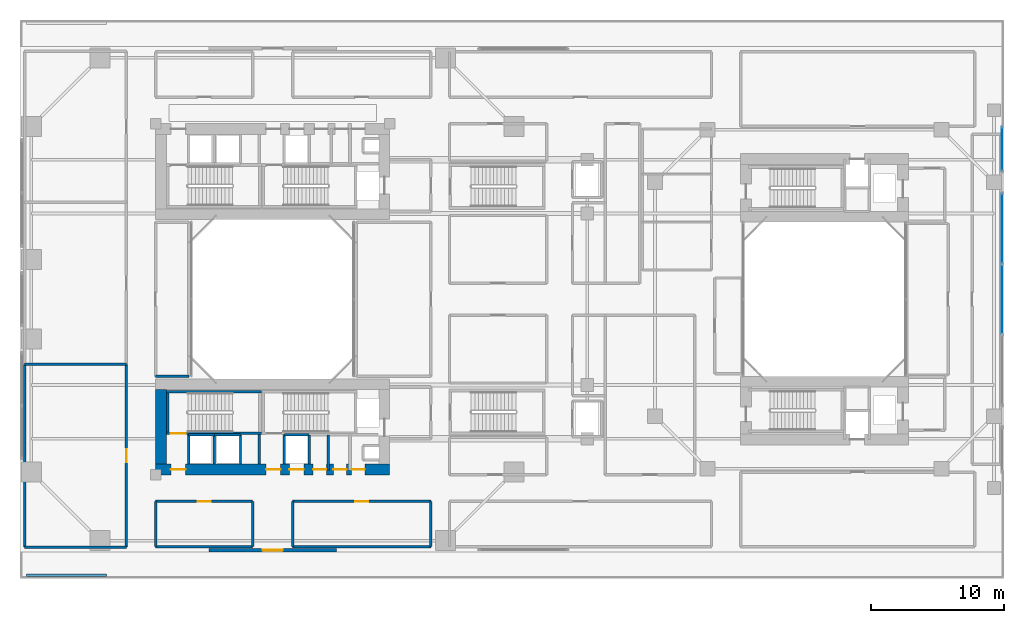
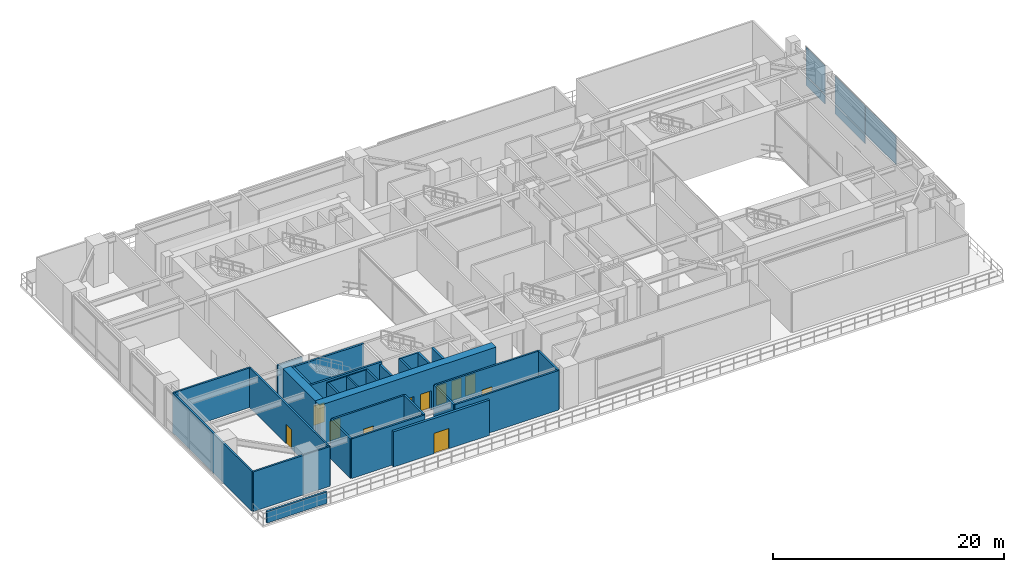
# One storey, part 10 of 19: 30 walls, 11 doors, 5 plates, 11 openings, 2 elements without a shape of their own.
"""IFC4 building model written with IfcOpenShell, lengths in metres."""

from ifc_helpers import new_model, si_unit, direction, frame, frame_2d, origin, origin_2d, place, context, subcontext, project, spatial, rectangle, extrude, source, transform, mapped, material, layer, layer_set, type_object, element, fill, aggregate, save


model = new_model("IFC4")

# Units and contexts
model_context = context("Model", 3, precision=1e-05, world=origin(), true_north=direction((0.0, 1.0)))
body_context = subcontext(model_context, "Body", "Model", "MODEL_VIEW")
ifc_project = project(units=[si_unit("LENGTHUNIT", "METRE"), si_unit("AREAUNIT", "SQUARE_METRE"), si_unit("VOLUMEUNIT", "CUBIC_METRE"), si_unit("PLANEANGLEUNIT", "RADIAN"), si_unit("MASSUNIT", "GRAM", prefix="KILO"), si_unit("THERMODYNAMICTEMPERATUREUNIT", "KELVIN"), si_unit("POWERUNIT", "WATT")], contexts=[model_context])

# Site, building, storey
site_placement = place(None, origin())
site = spatial("IfcSite", under=ifc_project, at=site_placement, CompositionType="ELEMENT")
building_placement = place(site_placement, origin())
building = spatial("IfcBuilding", under=site, at=building_placement, Name="Qiaomeng Ring Towers", CompositionType="ELEMENT")
storey_placement = place(building_placement, frame((0.0, 0.0, 9.39990234375)))
storey = spatial("IfcBuildingStorey", under=building, at=storey_placement, Name="L02", CompositionType="ELEMENT", Elevation=9.39990234375)

# Curtain wall, plate
ifc_material_1 = material(Name="Fluorocarbon dark-grey aluminium", Category="aluminium")
ifc_layer_1 = layer(ifc_material_1, 0.179931640625, Name="Fluorocarbon dark-grey aluminium")
ifc_layer_set_1 = layer_set([ifc_layer_1], Name="Fluorocarbon dark-grey aluminium")
curtain_wall_type = type_object("IfcCurtainWallType", Name="ARC-CW-1", PredefinedType="NOTDEFINED", material=ifc_layer_set_1)
curtain_wall_1_placement = place(storey_placement, origin())
curtain_wall_1 = element("IfcCurtainWall", 1, at=curtain_wall_1_placement, inside=storey, type_object=curtain_wall_type, Name="L02 Curtain Wall CW1", PredefinedType="NOTDEFINED")
ifc_material_2 = material(Name="Low-E pale-green laminated safety glass", Category="glass")
ifc_layer_2 = layer(ifc_material_2, 0.031982421875, Name="Low-E pale-green laminated safety glass")
ifc_layer_set_2 = layer_set([ifc_layer_2], Name="Low-E pale-green laminated safety glass")
plate_type = type_object("IfcPlateType", Name="ARC-CWP-GREEN", PredefinedType="CURTAIN_PANEL", material=ifc_layer_set_2)
shared_shape_1 = source(origin(), body_context, "Body", "SweptSolid", [
    extrude(rectangle(XDim=5.219970703125, YDim=0.031982421875, at=origin_2d()), origin(), (0.0, 0.0, 1.0), 0.945068359375),
])
plate_1_placement = place(storey_placement, frame((73.85009765625, 28.320068359375, 0.06982421875), z_axis=(0.0, 0.0, 1.0), x_axis=(0.0, 1.0, 0.0)))
plate_1 = element("IfcPlate", 2, at=plate_1_placement, type_object=plate_type, Name="CW1 panel 3.1", PredefinedType="CURTAIN_PANEL", context=body_context, shape_type="MappedRepresentation", body=[
    mapped(shared_shape_1, transform((0.0, 0.0, 0.0), x_axis=(1.0, 0.0, 0.0), y_axis=(0.0, 1.0, 0.0), z_axis=(0.0, 0.0, 1.0), scale=1.0)),
])

# Curtain wall, plates
curtain_wall_2_placement = place(storey_placement, origin())
curtain_wall_2 = element("IfcCurtainWall", 3, at=curtain_wall_2_placement, inside=storey, type_object=curtain_wall_type, Name="L02 Curtain Wall CW1", PredefinedType="NOTDEFINED")
shared_shape_2 = source(origin(), body_context, "Body", "SweptSolid", [
    extrude(rectangle(XDim=3.25, YDim=0.031982421875, at=origin_2d()), origin(), (0.0, 0.0, 1.0), 0.945068359375),
])
plate_2_placement = place(storey_placement, frame((73.85009765625, 34.294921875, 0.06982421875), z_axis=(0.0, 0.0, 1.0), x_axis=(0.0, 1.0, 0.0)))
plate_2 = element("IfcPlate", 4, at=plate_2_placement, type_object=plate_type, Name="CW1 panel 1.1", PredefinedType="CURTAIN_PANEL", context=body_context, shape_type="MappedRepresentation", body=[
    mapped(shared_shape_2, transform((0.0, 0.0, 0.0), x_axis=(1.0, 0.0, 0.0), y_axis=(0.0, 1.0, 0.0), z_axis=(0.0, 0.0, 1.0), scale=1.0)),
])
shared_shape_3 = source(origin(), body_context, "Body", "SweptSolid", [
    extrude(rectangle(XDim=3.25, YDim=0.031982421875, at=origin_2d()), origin(), (0.0, 0.0, 1.0), 3.02490234375),
])
plate_3_placement = place(storey_placement, frame((73.85009765625, 34.294921875, 1.085205078125), z_axis=(0.0, 0.0, 1.0), x_axis=(0.0, 1.0, 0.0)))
plate_3 = element("IfcPlate", 5, at=plate_3_placement, type_object=plate_type, Name="CW1 panel 1.2", PredefinedType="CURTAIN_PANEL", context=body_context, shape_type="MappedRepresentation", body=[
    mapped(shared_shape_3, transform((0.0, 0.0, 0.0), x_axis=(1.0, 0.0, 0.0), y_axis=(0.0, 1.0, 0.0), z_axis=(0.0, 0.0, 1.0), scale=1.0)),
])
aggregate(curtain_wall_2, [plate_2, plate_3])

# Plate
shared_shape_4 = source(origin(), body_context, "Body", "SweptSolid", [
    extrude(rectangle(XDim=5.219970703125, YDim=0.031982421875, at=origin_2d()), origin(), (0.0, 0.0, 1.0), 3.02490234375),
])
plate_4_placement = place(storey_placement, frame((73.85009765625, 28.320068359375, 1.085205078125), z_axis=(0.0, 0.0, 1.0), x_axis=(0.0, 1.0, 0.0)))
plate_4 = element("IfcPlate", 6, at=plate_4_placement, type_object=plate_type, Name="CW1 panel 3.2", PredefinedType="CURTAIN_PANEL", context=body_context, shape_type="MappedRepresentation", body=[
    mapped(shared_shape_4, transform((0.0, 0.0, 0.0), x_axis=(1.0, 0.0, 0.0), y_axis=(0.0, 1.0, 0.0), z_axis=(0.0, 0.0, 1.0), scale=1.0)),
])

shared_shape_5 = source(origin(), body_context, "Body", "SweptSolid", [
    extrude(rectangle(XDim=5.260009765625, YDim=0.031982421875, at=origin_2d()), origin(), (0.0, 0.0, 1.0), 3.02490234375),
])
plate_5_placement = place(storey_placement, frame((73.85009765625, 23.0, 1.085205078125), z_axis=(0.0, 0.0, 1.0), x_axis=(0.0, 1.0, 0.0)))
plate_5 = element("IfcPlate", 7, at=plate_5_placement, type_object=plate_type, Name="CW1 panel 2.2", PredefinedType="CURTAIN_PANEL", context=body_context, shape_type="MappedRepresentation", body=[
    mapped(shared_shape_5, transform((0.0, 0.0, 0.0), x_axis=(1.0, 0.0, 0.0), y_axis=(0.0, 1.0, 0.0), z_axis=(0.0, 0.0, 1.0), scale=1.0)),
])

aggregate(curtain_wall_1, [plate_5, plate_1, plate_4])

# Wall, opening, door
ifc_material_3 = material(Name="Precast concrete C40", Category="concrete")
ifc_layer_3 = layer(ifc_material_3, 0.25, Name="Precast concrete C40")
ifc_layer_set_3 = layer_set([ifc_layer_3], Name="Precast concrete C40")
wall_type_1 = type_object("IfcWallType", Name="ARC-WL-EW1", PredefinedType="STANDARD", material=ifc_layer_set_3)
wall_1_placement = place(storey_placement, frame((14.199951171875, 4.125, 0.0), z_axis=(0.0, 0.0, 1.0), x_axis=(1.0, 0.0, 0.0)))
wall_1 = element("IfcWall", 8, at=wall_1_placement, inside=storey, type_object=wall_type_1, Name="L02 South Podium Wall", PredefinedType="STANDARD", context=body_context, shape_type="SweptSolid", body=[
    extrude(rectangle(XDim=9.60009765625, YDim=0.25, at=frame_2d((4.800048828125, 0.0))), origin(), (0.0, 0.0, 1.0), 3.72021484375),
])
opening_1_placement = place(wall_1_placement, frame((4.050048828125, 0.0, 0.0)))
opening_1 = element("IfcOpeningElement", 9, at=opening_1_placement, cuts=wall_1, Name="Opening BD2", PredefinedType="OPENING", context=body_context, shape_type="SweptSolid", body=[
    extrude(rectangle(XDim=1.5, YDim=2.14990234375, at=frame_2d((0.75, 1.074951171875))), frame((0.0, 0.135009765625, 0.0), z_axis=(0.0, -1.0, 0.0), x_axis=(1.0, 0.0, 0.0)), (0.0, 0.0, 1.0), 0.27001953125),
])
door_type_1 = type_object("IfcDoorType", Name="ARC-DR-BD2", OperationType="NOTDEFINED", PredefinedType="DOOR", material=ifc_material_2)
shared_shape_6 = source(origin(), body_context, "Body", "SweptSolid", [
    extrude(rectangle(XDim=1.5, YDim=2.14990234375, at=frame_2d((0.75, 1.074951171875))), frame((0.0, 0.02490234375, 0.0), z_axis=(0.0, -1.0, 0.0), x_axis=(1.0, 0.0, 0.0)), (0.0, 0.0, 1.0), 0.050048828125),
])
door_1_placement = place(opening_1_placement, frame((1.5, 0.0, 0.0), z_axis=(0.0, 0.0, 1.0), x_axis=(-1.0, 0.0, 0.0)))
door_1 = element("IfcDoor", 10, at=door_1_placement, inside=storey, type_object=door_type_1, Name="L02 South Podium Terrace Door", OperationType="DOUBLE_DOOR_SINGLE_SWING", OverallHeight=2.14990234375, OverallWidth=1.5, PredefinedType="DOOR", context=body_context, shape_type="MappedRepresentation", body=[
    mapped(shared_shape_6, transform((0.0, 0.0, 0.0), x_axis=(1.0, 0.0, 0.0), y_axis=(0.0, 1.0, 0.0), z_axis=(0.0, 0.0, 1.0), scale=1.0)),
])
fill(opening_1, door_1)

# Walls
ifc_layer_4 = layer(ifc_material_3, 0.199951171875, Name="Precast concrete C40")
ifc_layer_set_4 = layer_set([ifc_layer_4], Name="Precast concrete C40")
wall_type_2 = type_object("IfcWallType", Name="ARC-WL-PP1", PredefinedType="PARAPET", material=ifc_layer_set_4)
wall_2_placement = place(storey_placement, frame((0.5, 2.25, 0.0), z_axis=(0.0, 0.0, 1.0), x_axis=(1.0, 0.0, 0.0)))
element("IfcWall", 11, at=wall_2_placement, inside=storey, type_object=wall_type_2, Name="L02 South Terrace Parapet PP1", PredefinedType="PARAPET", context=body_context, shape_type="SweptSolid", body=[
    extrude(rectangle(XDim=6.0, YDim=0.199951171875, at=frame_2d((3.0, 0.0))), origin(), (0.0, 0.0, 1.0), 1.2001953125),
])
ifc_material_4 = material(Name="Autoclaved aerated concrete block", Category="concrete")
ifc_layer_5 = layer(ifc_material_4, 0.199951171875, Name="Autoclaved aerated concrete block")
ifc_layer_set_5 = layer_set([ifc_layer_5], Name="Autoclaved aerated concrete block")
wall_type_3 = type_object("IfcWallType", Name="ARC-WL-PW1", PredefinedType="PARTITIONING", material=ifc_layer_set_5)
for number, where, z_axis, x_axis, name in (
    (12, (12.679931640625, 10.60009765625, 0.0), (0.0, 0.0, 1.0), (0.0, 1.0, 0.0), "L02 Interior Wall PW1"),
    (13, (18.0, 10.60009765625, 0.0), (0.0, 0.0, 1.0), (0.0, 1.0, 0.0), "L02 Interior Wall PW1"),
    (14, (19.8798828125, 10.60009765625, 0.0), (0.0, 0.0, 1.0), (0.0, 1.0, 0.0), "L02 Interior Wall PW1"),
):
    element("IfcWall", number, at=place(storey_placement, frame(where, z_axis=z_axis, x_axis=x_axis)), inside=storey, type_object=wall_type_3, Name=name, PredefinedType="PARTITIONING", context=body_context, shape_type="SweptSolid", body=[
        extrude(rectangle(XDim=2.2099609375, YDim=0.199951171875, at=frame_2d((1.10498046875, 0.0))), origin(), (0.0, 0.0, 1.0), 4.18017578125),
    ])
wall_3_placement = place(storey_placement, frame((21.75, 10.60009765625, 0.0), z_axis=(0.0, 0.0, 1.0), x_axis=(0.0, 1.0, 0.0)))
element("IfcWall", 15, at=wall_3_placement, inside=storey, type_object=wall_type_3, Name="L02 Interior Wall PW1", PredefinedType="PARTITIONING", context=body_context, shape_type="SweptSolid", body=[
    extrude(rectangle(XDim=2.199951171875, YDim=0.199951171875, at=frame_2d((1.10009765625, 0.0))), origin(), (0.0, 0.0, 1.0), 4.18017578125),
])
wall_4_placement = place(storey_placement, frame((23.169921875, 10.14990234375, 0.0), z_axis=(0.0, 0.0, 1.0), x_axis=(0.0, 1.0, 0.0)))
element("IfcWall", 16, at=wall_4_placement, inside=storey, type_object=wall_type_3, Name="L02 Interior Wall PW1", PredefinedType="PARTITIONING", context=body_context, shape_type="SweptSolid", body=[
    extrude(rectangle(XDim=2.650146484375, YDim=0.199951171875, at=frame_2d((1.3251953125, 0.0))), origin(), (0.0, 0.0, 1.0), 4.18017578125),
])
ifc_layer_6 = layer(ifc_material_4, 0.179931640625, Name="Autoclaved aerated concrete block")
ifc_layer_set_6 = layer_set([ifc_layer_6], Name="Autoclaved aerated concrete block")
wall_type_4 = type_object("IfcWallType", Name="ARC-WL-PW2", PredefinedType="PARTITIONING", material=ifc_layer_set_6)
for number, where, z_axis, x_axis, name in (
    (17, (0.35009765625, 4.35009765625, 0.0), (0.0, 0.0, 1.0), (1.0, 0.0, 0.0), "L02 Interior Wall PW2"),
    (18, (0.35009765625, 18.10009765625, 0.0), (0.0, 0.0, 1.0), (1.0, 0.0, 0.0), "L02 Interior Wall PW2"),
):
    element("IfcWall", number, at=place(storey_placement, frame(where, z_axis=z_axis, x_axis=x_axis)), inside=storey, type_object=wall_type_4, Name=name, PredefinedType="PARTITIONING", context=body_context, shape_type="SweptSolid", body=[
        extrude(rectangle(XDim=7.64990234375, YDim=0.179931640625, at=frame_2d((3.824951171875, 0.0))), origin(), (0.0, 0.0, 1.0), 4.18017578125),
    ])
wall_5_placement = place(storey_placement, frame((0.35009765625, 4.35009765625, 0.0), z_axis=(0.0, 0.0, 1.0), x_axis=(0.0, 1.0, 0.0)))
element("IfcWall", 19, at=wall_5_placement, inside=storey, type_object=wall_type_4, Name="L02 Interior Wall PW2", PredefinedType="PARTITIONING", context=body_context, shape_type="SweptSolid", body=[
    extrude(rectangle(XDim=13.75, YDim=0.179931640625, at=frame_2d((6.875, 0.0))), origin(), (0.0, 0.0, 1.0), 4.18017578125),
])

# Wall, opening, door
wall_6_placement = place(storey_placement, frame((8.0, 4.35009765625, 0.0), z_axis=(0.0, 0.0, 1.0), x_axis=(0.0, 1.0, 0.0)))
wall_6 = element("IfcWall", 20, at=wall_6_placement, inside=storey, type_object=wall_type_4, Name="L02 Interior Wall PW2", PredefinedType="PARTITIONING", context=body_context, shape_type="SweptSolid", body=[
    extrude(rectangle(XDim=13.75, YDim=0.179931640625, at=frame_2d((6.875, 0.0))), origin(), (0.0, 0.0, 1.0), 4.18017578125),
])
opening_2_placement = place(wall_6_placement, frame((6.375, 0.0, 0.0)))
opening_2 = element("IfcOpeningElement", 21, at=opening_2_placement, cuts=wall_6, Name="Opening FD4", PredefinedType="OPENING", context=body_context, shape_type="SweptSolid", body=[
    extrude(rectangle(XDim=1.0, YDim=2.050048828125, at=frame_2d((0.5, 1.02490234375))), frame((0.0, 0.099853515625, 0.0), z_axis=(0.0, -1.0, 0.0), x_axis=(1.0, 0.0, 0.0)), (0.0, 0.0, 1.0), 0.199951171875),
])
ifc_material_5 = material(Name="Engineered fire-rated oak timber", Category="wood")
door_type_2 = type_object("IfcDoorType", Name="ARC-DR-FD4", OperationType="NOTDEFINED", PredefinedType="DOOR", material=ifc_material_5)
shared_shape_7 = source(origin(), body_context, "Body", "SweptSolid", [
    extrude(rectangle(XDim=1.0, YDim=2.050048828125, at=frame_2d((0.5, 1.02490234375))), frame((0.0, 0.02490234375, 0.0), z_axis=(0.0, -1.0, 0.0), x_axis=(1.0, 0.0, 0.0)), (0.0, 0.0, 1.0), 0.050048828125),
])
door_2_placement = place(opening_2_placement, origin())
door_2 = element("IfcDoor", 22, at=door_2_placement, inside=storey, type_object=door_type_2, Name="L02 L02 General Practice Clinic Door", OperationType="SINGLE_SWING_LEFT", OverallHeight=2.050048828125, OverallWidth=1.0, PredefinedType="DOOR", context=body_context, shape_type="MappedRepresentation", body=[
    mapped(shared_shape_7, transform((0.0, 0.0, 0.0), x_axis=(1.0, 0.0, 0.0), y_axis=(0.0, 1.0, 0.0), z_axis=(0.0, 0.0, 1.0), scale=1.0)),
])
fill(opening_2, door_2)

# Walls
wall_7_placement = place(storey_placement, frame((10.199951171875, 17.199951171875, 0.0), z_axis=(0.0, 0.0, 1.0), x_axis=(1.0, 0.0, 0.0)))
element("IfcWall", 23, at=wall_7_placement, inside=storey, type_object=wall_type_4, Name="L02 Interior Wall PW2", PredefinedType="PARTITIONING", context=body_context, shape_type="SweptSolid", body=[
    extrude(rectangle(XDim=2.5, YDim=0.179931640625, at=frame_2d((1.25, 0.0))), origin(), (0.0, 0.0, 1.0), 4.18017578125),
])
wall_8_placement = place(storey_placement, frame((10.199951171875, 4.39990234375, 0.0), z_axis=(0.0, 0.0, 1.0), x_axis=(1.0, 0.0, 0.0)))
element("IfcWall", 24, at=wall_8_placement, inside=storey, type_object=wall_type_4, Name="L02 Interior Wall PW2", PredefinedType="PARTITIONING", context=body_context, shape_type="SweptSolid", body=[
    extrude(rectangle(XDim=7.300048828125, YDim=0.179931640625, at=frame_2d((3.64990234375, 0.0))), origin(), (0.0, 0.0, 1.0), 4.18017578125),
])

# Wall, opening, door
wall_9_placement = place(storey_placement, frame((10.199951171875, 7.800048828125, 0.0), z_axis=(0.0, 0.0, 1.0), x_axis=(1.0, 0.0, 0.0)))
wall_9 = element("IfcWall", 25, at=wall_9_placement, inside=storey, type_object=wall_type_4, Name="L02 Interior Wall PW2", PredefinedType="PARTITIONING", context=body_context, shape_type="SweptSolid", body=[
    extrude(rectangle(XDim=7.300048828125, YDim=0.179931640625, at=frame_2d((3.64990234375, 0.0))), origin(), (0.0, 0.0, 1.0), 4.18017578125),
])
opening_3_placement = place(wall_9_placement, frame((3.14990234375, 0.0, 0.0)))
opening_3 = element("IfcOpeningElement", 26, at=opening_3_placement, cuts=wall_9, Name="Opening FD4", PredefinedType="OPENING", context=body_context, shape_type="SweptSolid", body=[
    extrude(rectangle(XDim=1.0, YDim=2.050048828125, at=frame_2d((0.5, 1.02490234375))), frame((0.0, 0.099853515625, 0.0), z_axis=(0.0, -1.0, 0.0), x_axis=(1.0, 0.0, 0.0)), (0.0, 0.0, 1.0), 0.199951171875),
])
door_3_placement = place(opening_3_placement, origin())
door_3 = element("IfcDoor", 27, at=door_3_placement, inside=storey, type_object=door_type_2, Name="L02 L02 Ophthalmology Clinic Door", OperationType="SINGLE_SWING_LEFT", OverallHeight=2.050048828125, OverallWidth=1.0, PredefinedType="DOOR", context=body_context, shape_type="MappedRepresentation", body=[
    mapped(shared_shape_7, transform((0.0, 0.0, 0.0), x_axis=(1.0, 0.0, 0.0), y_axis=(0.0, 1.0, 0.0), z_axis=(0.0, 0.0, 1.0), scale=1.0)),
])
fill(opening_3, door_3)

# Walls
for number, where, z_axis, x_axis, name in (
    (28, (10.199951171875, 4.39990234375, 0.0), (0.0, 0.0, 1.0), (0.0, 1.0, 0.0), "L02 Interior Wall PW2"),
    (29, (17.5, 4.39990234375, 0.0), (0.0, 0.0, 1.0), (0.0, 1.0, 0.0), "L02 Interior Wall PW2"),
):
    element("IfcWall", number, at=place(storey_placement, frame(where, z_axis=z_axis, x_axis=x_axis)), inside=storey, type_object=wall_type_4, Name=name, PredefinedType="PARTITIONING", context=body_context, shape_type="SweptSolid", body=[
        extrude(rectangle(XDim=3.400146484375, YDim=0.179931640625, at=frame_2d((1.7001953125, 0.0))), origin(), (0.0, 0.0, 1.0), 4.18017578125),
    ])
wall_10_placement = place(storey_placement, frame((20.5, 4.39990234375, 0.0), z_axis=(0.0, 0.0, 1.0), x_axis=(1.0, 0.0, 0.0)))
element("IfcWall", 30, at=wall_10_placement, inside=storey, type_object=wall_type_4, Name="L02 Interior Wall PW2", PredefinedType="PARTITIONING", context=body_context, shape_type="SweptSolid", body=[
    extrude(rectangle(XDim=10.39990234375, YDim=0.179931640625, at=frame_2d((5.199951171875, 0.0))), origin(), (0.0, 0.0, 1.0), 4.18017578125),
])

# Wall, opening, door
wall_11_placement = place(storey_placement, frame((20.5, 7.800048828125, 0.0), z_axis=(0.0, 0.0, 1.0), x_axis=(1.0, 0.0, 0.0)))
wall_11 = element("IfcWall", 31, at=wall_11_placement, inside=storey, type_object=wall_type_4, Name="L02 Interior Wall PW2", PredefinedType="PARTITIONING", context=body_context, shape_type="SweptSolid", body=[
    extrude(rectangle(XDim=10.39990234375, YDim=0.179931640625, at=frame_2d((5.199951171875, 0.0))), origin(), (0.0, 0.0, 1.0), 4.18017578125),
])
opening_4_placement = place(wall_11_placement, frame((4.699951171875, 0.0, 0.0)))
opening_4 = element("IfcOpeningElement", 32, at=opening_4_placement, cuts=wall_11, Name="Opening FD4", PredefinedType="OPENING", context=body_context, shape_type="SweptSolid", body=[
    extrude(rectangle(XDim=1.0, YDim=2.050048828125, at=frame_2d((0.5, 1.02490234375))), frame((0.0, 0.099853515625, 0.0), z_axis=(0.0, -1.0, 0.0), x_axis=(1.0, 0.0, 0.0)), (0.0, 0.0, 1.0), 0.199951171875),
])
door_4_placement = place(opening_4_placement, origin())
door_4 = element("IfcDoor", 33, at=door_4_placement, inside=storey, type_object=door_type_2, Name="L02 L02 Vaccination Clinic Door", OperationType="SINGLE_SWING_RIGHT", OverallHeight=2.050048828125, OverallWidth=1.0, PredefinedType="DOOR", context=body_context, shape_type="MappedRepresentation", body=[
    mapped(shared_shape_7, transform((0.0, 0.0, 0.0), x_axis=(1.0, 0.0, 0.0), y_axis=(0.0, 1.0, 0.0), z_axis=(0.0, 0.0, 1.0), scale=1.0)),
])
fill(opening_4, door_4)

# Walls
for number, where, z_axis, x_axis, name in (
    (34, (20.5, 4.39990234375, 0.0), (0.0, 0.0, 1.0), (0.0, 1.0, 0.0), "L02 Interior Wall PW2"),
    (35, (30.89990234375, 4.39990234375, 0.0), (0.0, 0.0, 1.0), (0.0, 1.0, 0.0), "L02 Interior Wall PW2"),
):
    element("IfcWall", number, at=place(storey_placement, frame(where, z_axis=z_axis, x_axis=x_axis)), inside=storey, type_object=wall_type_4, Name=name, PredefinedType="PARTITIONING", context=body_context, shape_type="SweptSolid", body=[
        extrude(rectangle(XDim=3.400146484375, YDim=0.179931640625, at=frame_2d((1.7001953125, 0.0))), origin(), (0.0, 0.0, 1.0), 4.18017578125),
    ])
ifc_material_6 = material(Name="Concrete C40", Category="concrete")
ifc_layer_7 = layer(ifc_material_6, 0.199951171875, Name="Concrete C40")
ifc_layer_set_7 = layer_set([ifc_layer_7], Name="Concrete C40")
wall_type_5 = type_object("IfcWallType", Name="STR-WL-STSHAFT", PredefinedType="SHEAR", material=ifc_layer_set_7)
wall_12_placement = place(storey_placement, frame((12.679931640625, 12.800048828125, 0.0), z_axis=(0.0, 0.0, 1.0), x_axis=(1.0, 0.0, 0.0)))
element("IfcWall", 36, at=wall_12_placement, inside=storey, type_object=wall_type_5, Name="L02 Lift LP6 Shaft Back Wall", PredefinedType="SHEAR", context=body_context, shape_type="SweptSolid", body=[
    extrude(rectangle(XDim=1.940185546875, YDim=0.179931640625, at=frame_2d((0.97021484375, 0.0))), origin(), (0.0, 0.0, 1.0), 4.18017578125),
])
wall_13_placement = place(storey_placement, frame((14.6201171875, 10.60009765625, 0.0), z_axis=(0.0, 0.0, 1.0), x_axis=(0.0, 1.0, 0.0)))
element("IfcWall", 37, at=wall_13_placement, inside=storey, type_object=wall_type_5, Name="L02 Lift LP6-LP4 Shaft Divider Wall", PredefinedType="SHEAR", context=body_context, shape_type="SweptSolid", body=[
    extrude(rectangle(XDim=2.199951171875, YDim=0.179931640625, at=frame_2d((1.10009765625, 0.0))), origin(), (0.0, 0.0, 1.0), 4.18017578125),
])
wall_14_placement = place(storey_placement, frame((14.6201171875, 12.800048828125, 0.0), z_axis=(0.0, 0.0, 1.0), x_axis=(1.0, 0.0, 0.0)))
element("IfcWall", 38, at=wall_14_placement, inside=storey, type_object=wall_type_5, Name="L02 Lift LP4 Shaft Back Wall", PredefinedType="SHEAR", context=body_context, shape_type="SweptSolid", body=[
    extrude(rectangle(XDim=1.9599609375, YDim=0.179931640625, at=frame_2d((0.97998046875, 0.0))), origin(), (0.0, 0.0, 1.0), 4.18017578125),
])
wall_15_placement = place(storey_placement, frame((16.580078125, 10.60009765625, 0.0), z_axis=(0.0, 0.0, 1.0), x_axis=(0.0, 1.0, 0.0)))
element("IfcWall", 39, at=wall_15_placement, inside=storey, type_object=wall_type_5, Name="L02 Lift LP4 East Shaft Wall", PredefinedType="SHEAR", context=body_context, shape_type="SweptSolid", body=[
    extrude(rectangle(XDim=2.199951171875, YDim=0.179931640625, at=frame_2d((1.10009765625, 0.0))), origin(), (0.0, 0.0, 1.0), 4.18017578125),
])
wall_16_placement = place(storey_placement, frame((19.8798828125, 12.800048828125, 0.0), z_axis=(0.0, 0.0, 1.0), x_axis=(1.0, 0.0, 0.0)))
element("IfcWall", 40, at=wall_16_placement, inside=storey, type_object=wall_type_5, Name="L02 Lift LP2 Shaft Back Wall", PredefinedType="SHEAR", context=body_context, shape_type="SweptSolid", body=[
    extrude(rectangle(XDim=1.8701171875, YDim=0.179931640625, at=frame_2d((0.93505859375, 0.0))), origin(), (0.0, 0.0, 1.0), 4.18017578125),
])

# Wall, opening, door
wall_17_placement = place(storey_placement, frame((11.0, 12.909912109375, 0.0), z_axis=(0.0, 0.0, 1.0), x_axis=(1.0, 0.0, 0.0)))
wall_17 = element("IfcWall", 41, at=wall_17_placement, inside=storey, type_object=wall_type_5, Name="L02 Stair ST3 South Shaft Shear Wall", PredefinedType="SHEAR", context=body_context, shape_type="SweptSolid", body=[
    extrude(rectangle(XDim=7.14990234375, YDim=0.199951171875, at=frame_2d((3.574951171875, 0.0))), origin(), (0.0, 0.0, 1.0), 4.400146484375),
])
opening_5_placement = place(wall_17_placement, frame((0.35009765625, 0.0, 0.0)))
opening_5 = element("IfcOpeningElement", 42, at=opening_5_placement, cuts=wall_17, Name="Opening FD3", PredefinedType="OPENING", context=body_context, shape_type="SweptSolid", body=[
    extrude(rectangle(XDim=1.10009765625, YDim=2.050048828125, at=frame_2d((0.550048828125, 1.02490234375))), frame((0.0, 0.10986328125, 0.0), z_axis=(0.0, -1.0, 0.0), x_axis=(1.0, 0.0, 0.0)), (0.0, 0.0, 1.0), 0.219970703125),
])
ifc_material_7 = material(Name="Galvanised steel", Category="steel")
door_type_3 = type_object("IfcDoorType", Name="ARC-DR-FD3", OperationType="NOTDEFINED", PredefinedType="DOOR", material=ifc_material_7)
shared_shape_8 = source(origin(), body_context, "Body", "SweptSolid", [
    extrude(rectangle(XDim=1.10009765625, YDim=2.050048828125, at=frame_2d((0.550048828125, 1.02490234375))), frame((0.0, 0.02490234375, 0.0), z_axis=(0.0, -1.0, 0.0), x_axis=(1.0, 0.0, 0.0)), (0.0, 0.0, 1.0), 0.050048828125),
])
door_5_placement = place(opening_5_placement, frame((1.10009765625, 0.0, 0.0), z_axis=(0.0, 0.0, 1.0), x_axis=(-1.0, 0.0, 0.0)))
door_5 = element("IfcDoor", 43, at=door_5_placement, inside=storey, type_object=door_type_3, Name="L02 Stair ST3 Exit Door", OperationType="SINGLE_SWING_LEFT", OverallHeight=2.050048828125, OverallWidth=1.10009765625, PredefinedType="DOOR", context=body_context, shape_type="MappedRepresentation", body=[
    mapped(shared_shape_8, transform((0.0, 0.0, 0.0), x_axis=(1.0, 0.0, 0.0), y_axis=(0.0, 1.0, 0.0), z_axis=(0.0, 0.0, 1.0), scale=1.0)),
])
fill(opening_5, door_5)

# Walls
wall_18_placement = place(storey_placement, frame((11.0, 16.050048828125, 0.0), z_axis=(0.0, 0.0, 1.0), x_axis=(1.0, 0.0, 0.0)))
element("IfcWall", 44, at=wall_18_placement, inside=storey, type_object=wall_type_5, Name="L02 Stair ST3 North Shaft Shear Wall", PredefinedType="SHEAR", context=body_context, shape_type="SweptSolid", body=[
    extrude(rectangle(XDim=7.14990234375, YDim=0.199951171875, at=frame_2d((3.574951171875, 0.0))), origin(), (0.0, 0.0, 1.0), 4.400146484375),
])
wall_19_placement = place(storey_placement, frame((11.10009765625, 13.010009765625, 0.0), z_axis=(0.0, 0.0, 1.0), x_axis=(0.0, 1.0, 0.0)))
element("IfcWall", 45, at=wall_19_placement, inside=storey, type_object=wall_type_5, Name="L02 Stair ST3 West Shaft Shear Wall", PredefinedType="SHEAR", context=body_context, shape_type="SweptSolid", body=[
    extrude(rectangle(XDim=2.93994140625, YDim=0.199951171875, at=frame_2d((1.469970703125, 0.0))), origin(), (0.0, 0.0, 1.0), 4.400146484375),
])

# Wall, openings, doors
ifc_material_8 = material(Name="Concrete C60", Category="concrete")
ifc_layer_8 = layer(ifc_material_8, 0.800048828125, Name="Concrete C60")
ifc_layer_set_8 = layer_set([ifc_layer_8], Name="Concrete C60")
wall_type_6 = type_object("IfcWallType", Name="STR-WL-SW1", PredefinedType="SHEAR", material=ifc_layer_set_8)
wall_20_placement = place(storey_placement, frame((10.199951171875, 10.199951171875, 0.0), z_axis=(0.0, 0.0, 1.0), x_axis=(1.0, 0.0, 0.0)))
wall_20 = element("IfcWall", 46, at=wall_20_placement, inside=storey, type_object=wall_type_6, Name="L02 T1SC south core shear wall", PredefinedType="SHEAR", context=body_context, shape_type="SweptSolid", body=[
    extrude(rectangle(XDim=17.60009765625, YDim=0.800048828125, at=frame_2d((8.800048828125, 0.0))), origin(), (0.0, 0.0, 1.0), 4.400146484375),
])
opening_6_placement = place(wall_20_placement, frame((1.14990234375, 0.0, 0.0)))
opening_6 = element("IfcOpeningElement", 47, at=opening_6_placement, cuts=wall_20, Name="Opening FD3", PredefinedType="OPENING", context=body_context, shape_type="SweptSolid", body=[
    extrude(rectangle(XDim=1.10009765625, YDim=2.050048828125, at=frame_2d((0.550048828125, 1.02490234375))), frame((0.0, 0.409912109375, 0.0), z_axis=(0.0, -1.0, 0.0), x_axis=(1.0, 0.0, 0.0)), (0.0, 0.0, 1.0), 0.820068359375),
])
opening_7_placement = place(wall_20_placement, frame((8.300048828125, 0.0, 0.0)))
opening_7 = element("IfcOpeningElement", 48, at=opening_7_placement, cuts=wall_20, Name="Opening FD3", PredefinedType="OPENING", context=body_context, shape_type="SweptSolid", body=[
    extrude(rectangle(XDim=1.10009765625, YDim=2.050048828125, at=frame_2d((0.550048828125, 1.02490234375))), frame((0.0, 0.409912109375, 0.0), z_axis=(0.0, -1.0, 0.0), x_axis=(1.0, 0.0, 0.0)), (0.0, 0.0, 1.0), 0.820068359375),
])
opening_8_placement = place(wall_20_placement, frame((10.050048828125, 0.0, 0.0)))
opening_8 = element("IfcOpeningElement", 49, at=opening_8_placement, cuts=wall_20, Name="Opening LD1", PredefinedType="OPENING", context=body_context, shape_type="SweptSolid", body=[
    extrude(rectangle(XDim=1.10009765625, YDim=2.050048828125, at=frame_2d((0.550048828125, 1.02490234375))), frame((0.0, 0.409912109375, 0.0), z_axis=(0.0, -1.0, 0.0), x_axis=(1.0, 0.0, 0.0)), (0.0, 0.0, 1.0), 0.820068359375),
])
opening_9_placement = place(wall_20_placement, frame((14.739990234375, 0.0, 0.0)))
opening_9 = element("IfcOpeningElement", 50, at=opening_9_placement, cuts=wall_20, Name="Opening FD1", PredefinedType="OPENING", context=body_context, shape_type="SweptSolid", body=[
    extrude(rectangle(XDim=1.0, YDim=2.050048828125, at=frame_2d((0.5, 1.02490234375))), frame((0.0, 0.409912109375, 0.0), z_axis=(0.0, -1.0, 0.0), x_axis=(1.0, 0.0, 0.0)), (0.0, 0.0, 1.0), 0.820068359375),
])
opening_10_placement = place(wall_20_placement, frame((11.8349609375, 0.0, 0.0)))
opening_10 = element("IfcOpeningElement", 51, at=opening_10_placement, cuts=wall_20, Name="Opening FD1", PredefinedType="OPENING", context=body_context, shape_type="SweptSolid", body=[
    extrude(rectangle(XDim=1.0, YDim=2.050048828125, at=frame_2d((0.5, 1.02490234375))), frame((0.0, 0.409912109375, 0.0), z_axis=(0.0, -1.0, 0.0), x_axis=(1.0, 0.0, 0.0)), (0.0, 0.0, 1.0), 0.820068359375),
])
opening_11_placement = place(wall_20_placement, frame((13.3701171875, 0.0, 0.0)))
opening_11 = element("IfcOpeningElement", 52, at=opening_11_placement, cuts=wall_20, Name="Opening FD1", PredefinedType="OPENING", context=body_context, shape_type="SweptSolid", body=[
    extrude(rectangle(XDim=1.0, YDim=2.050048828125, at=frame_2d((0.5, 1.02490234375))), frame((0.0, 0.409912109375, 0.0), z_axis=(0.0, -1.0, 0.0), x_axis=(1.0, 0.0, 0.0)), (0.0, 0.0, 1.0), 0.820068359375),
])
door_6_placement = place(opening_6_placement, origin())
door_6 = element("IfcDoor", 53, at=door_6_placement, inside=storey, type_object=door_type_3, Name="L02 Stair ST3 Lobby Door", OperationType="SINGLE_SWING_RIGHT", OverallHeight=2.050048828125, OverallWidth=1.10009765625, PredefinedType="DOOR", context=body_context, shape_type="MappedRepresentation", body=[
    mapped(shared_shape_8, transform((0.0, 0.0, 0.0), x_axis=(1.0, 0.0, 0.0), y_axis=(0.0, 1.0, 0.0), z_axis=(0.0, 0.0, 1.0), scale=1.0)),
])
fill(opening_6, door_6)
door_7_placement = place(opening_7_placement, origin())
door_7 = element("IfcDoor", 54, at=door_7_placement, inside=storey, type_object=door_type_3, Name="L02 Stair ST4 Lobby Door", OperationType="SINGLE_SWING_RIGHT", OverallHeight=2.050048828125, OverallWidth=1.10009765625, PredefinedType="DOOR", context=body_context, shape_type="MappedRepresentation", body=[
    mapped(shared_shape_8, transform((0.0, 0.0, 0.0), x_axis=(1.0, 0.0, 0.0), y_axis=(0.0, 1.0, 0.0), z_axis=(0.0, 0.0, 1.0), scale=1.0)),
])
fill(opening_7, door_7)
ifc_material_9 = material(Name="Stainless steel 316", Category="steel")
door_type_4 = type_object("IfcDoorType", Name="ARC-DR-LD1", OperationType="NOTDEFINED", PredefinedType="DOOR", material=ifc_material_9)
door_8_placement = place(opening_8_placement, origin())
door_8 = element("IfcDoor", 55, at=door_8_placement, inside=storey, type_object=door_type_4, Name="L02 Low-Zone Lift LP2 Landing Door", OperationType="SLIDING_TO_RIGHT", OverallHeight=2.050048828125, OverallWidth=1.10009765625, PredefinedType="DOOR", context=body_context, shape_type="MappedRepresentation", body=[
    mapped(shared_shape_8, transform((0.0, 0.0, 0.0), x_axis=(1.0, 0.0, 0.0), y_axis=(0.0, 1.0, 0.0), z_axis=(0.0, 0.0, 1.0), scale=1.0)),
])
fill(opening_8, door_8)
door_type_5 = type_object("IfcDoorType", Name="ARC-DR-FD1", OperationType="NOTDEFINED", PredefinedType="DOOR", material=ifc_material_7)
door_9_placement = place(opening_9_placement, origin())
door_9 = element("IfcDoor", 56, at=door_9_placement, inside=storey, type_object=door_type_5, Name="L02 South Electrical Riser Door", OperationType="SINGLE_SWING_LEFT", OverallHeight=2.050048828125, OverallWidth=1.0, PredefinedType="DOOR", context=body_context, shape_type="MappedRepresentation", body=[
    mapped(shared_shape_7, transform((0.0, 0.0, 0.0), x_axis=(1.0, 0.0, 0.0), y_axis=(0.0, 1.0, 0.0), z_axis=(0.0, 0.0, 1.0), scale=1.0)),
])
fill(opening_9, door_9)
door_10_placement = place(opening_10_placement, origin())
door_10 = element("IfcDoor", 57, at=door_10_placement, inside=storey, type_object=door_type_5, Name="L02 South Cleaners Cupboard Door", OperationType="SINGLE_SWING_RIGHT", OverallHeight=2.050048828125, OverallWidth=1.0, PredefinedType="DOOR", context=body_context, shape_type="MappedRepresentation", body=[
    mapped(shared_shape_7, transform((0.0, 0.0, 0.0), x_axis=(1.0, 0.0, 0.0), y_axis=(0.0, 1.0, 0.0), z_axis=(0.0, 0.0, 1.0), scale=1.0)),
])
fill(opening_10, door_10)
door_11_placement = place(opening_11_placement, origin())
door_11 = element("IfcDoor", 58, at=door_11_placement, inside=storey, type_object=door_type_5, Name="L02 South Tea Pantry Door", OperationType="SINGLE_SWING_LEFT", OverallHeight=2.050048828125, OverallWidth=1.0, PredefinedType="DOOR", context=body_context, shape_type="MappedRepresentation", body=[
    mapped(shared_shape_7, transform((0.0, 0.0, 0.0), x_axis=(1.0, 0.0, 0.0), y_axis=(0.0, 1.0, 0.0), z_axis=(0.0, 0.0, 1.0), scale=1.0)),
])
fill(opening_11, door_11)

# Wall
wall_21_placement = place(storey_placement, frame((10.60009765625, 10.60009765625, 0.0), z_axis=(0.0, 0.0, 1.0), x_axis=(0.0, 1.0, 0.0)))
element("IfcWall", 59, at=wall_21_placement, inside=storey, type_object=wall_type_6, Name="L02 T1SC west core shear wall", PredefinedType="SHEAR", context=body_context, shape_type="SweptSolid", body=[
    extrude(rectangle(XDim=5.599853515625, YDim=0.800048828125, at=frame_2d((2.7998046875, 0.0))), origin(), (0.0, 0.0, 1.0), 4.400146484375),
])

save(model, "model.ifc")
